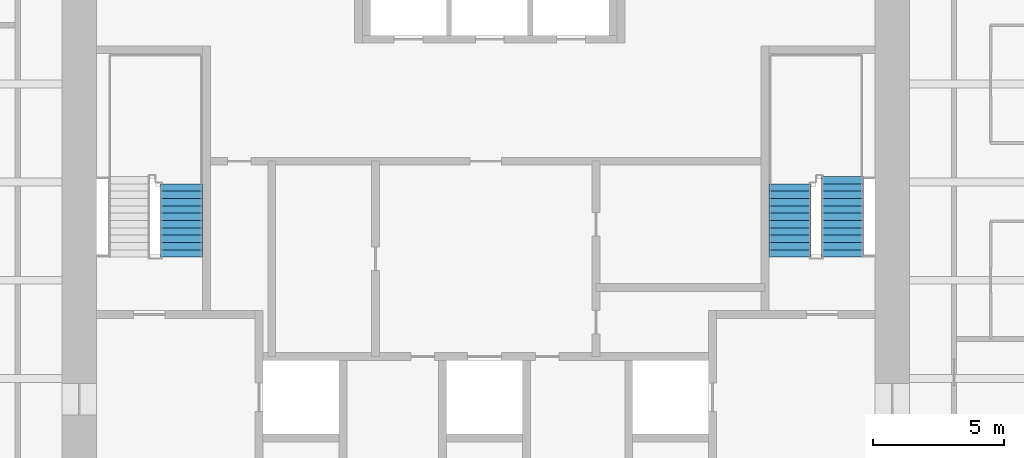
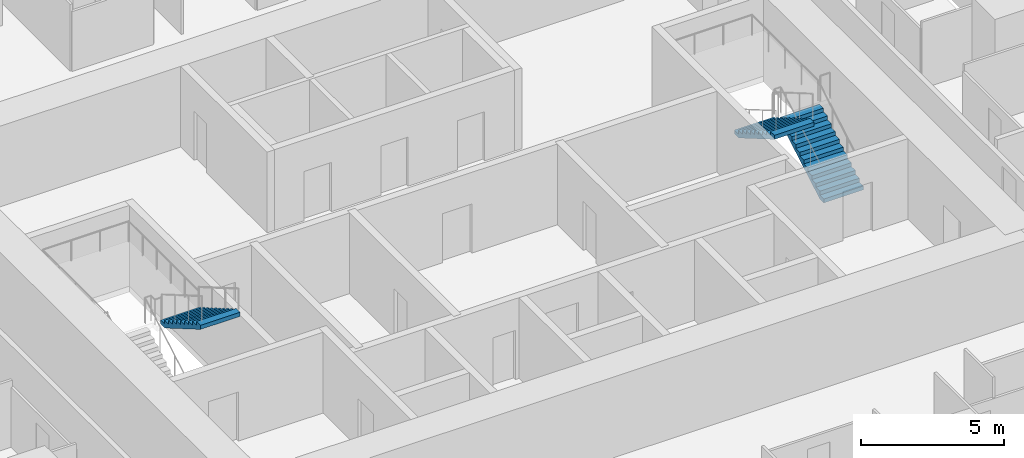
# One storey, part 12 of 13: 3 stair flights, 2 elements without a shape of their own.
"""IFC4 building model written with IfcOpenShell, lengths in metres."""

from ifc_helpers import new_model, si_unit, direction, frame, origin, place, context, subcontext, project, spatial, polyline, outline, extrude, material, type_object, element, aggregate, save


model = new_model("IFC4")

# Units and contexts
model_context = context("Model", 3, precision=1e-05, world=origin(), true_north=direction((0.0, 1.0)))
body_context = subcontext(model_context, "Body", "Model", "MODEL_VIEW")
ifc_project = project(units=[si_unit("LENGTHUNIT", "METRE"), si_unit("AREAUNIT", "SQUARE_METRE"), si_unit("VOLUMEUNIT", "CUBIC_METRE"), si_unit("PLANEANGLEUNIT", "RADIAN"), si_unit("MASSUNIT", "GRAM", prefix="KILO")], contexts=[model_context])

# Site, building, storey
site_placement = place(None, origin())
site = spatial("IfcSite", under=ifc_project, at=site_placement, CompositionType="ELEMENT")
building_placement = place(site_placement, origin())
building = spatial("IfcBuilding", under=site, at=building_placement, Name="Khuree Lantern Residences", CompositionType="ELEMENT")
storey_placement = place(building_placement, frame((0.0, 0.0, 349.5)))
storey = spatial("IfcBuildingStorey", under=building, at=storey_placement, Name="L88", CompositionType="ELEMENT", Elevation=349.5)

# Stair, stair flight
ifc_material = material(Name="Concrete C40/50", Category="concrete")
stair_type = type_object("IfcStairType", Name="STAIR ST1 HALF TURN 3600", PredefinedType="HALF_TURN_STAIR", material=ifc_material)
stair_1_placement = place(storey_placement, origin())
stair_1 = element("IfcStair", 1, at=stair_1_placement, inside=storey, type_object=stair_type, Name="Stair ST1", PredefinedType="HALF_TURN_STAIR")
stair_flight_type = type_object("IfcStairFlightType", Name="STAIR FLIGHT SF1 1600", PredefinedType="STRAIGHT", material=ifc_material)
stair_flight_1_placement = place(storey_placement, frame((-11.60009765625, -0.06005859375, 1.95654296875), z_axis=(0.0, 0.0, 1.0), x_axis=(0.0, -1.0, 0.0)))
stair_flight_1 = element("IfcStairFlight", 2, at=stair_flight_1_placement, type_object=stair_flight_type, Name="ST1 flight 2", NumberOfRisers=11, NumberOfTreads=10, PredefinedType="STRAIGHT", RiserHeight=0.163043478, TreadLength=0.28, context=body_context, shape_type="SweptSolid", body=[
    extrude(outline(polyline([(0.0, 0.0), (0.0, 0.1630859375), (0.280029296875, 0.1630859375), (0.280029296875, 0.326171875), (0.56005859375, 0.326171875), (0.56005859375, 0.489013671875), (0.840087890625, 0.489013671875), (0.840087890625, 0.652099609375), (1.1201171875, 0.652099609375), (1.1201171875, 0.815185546875), (1.39990234375, 0.815185546875), (1.39990234375, 0.978271484375), (1.679931640625, 0.978271484375), (1.679931640625, 1.141357421875), (1.9599609375, 1.141357421875), (1.9599609375, 1.304443359375), (2.239990234375, 1.304443359375), (2.239990234375, 1.46728515625), (2.52001953125, 1.46728515625), (2.52001953125, 1.63037109375), (2.800048828125, 1.63037109375), (2.800048828125, 1.79345703125), (2.800048828125, 1.45703125), (0.2978515625, 0.0), (0.0, 0.0)])), frame((0.0, 0.800048828125, 0.0), z_axis=(0.0, -1.0, 0.0), x_axis=(1.0, 0.0, 0.0)), (0.0, 0.0, 1.0), 1.60009765625),
])
aggregate(stair_1, [stair_flight_1])

# Stair, stair flights
stair_2_placement = place(storey_placement, origin())
stair_2 = element("IfcStair", 3, at=stair_2_placement, inside=storey, type_object=stair_type, Name="Stair ST2", PredefinedType="HALF_TURN_STAIR")
stair_flight_2_placement = place(storey_placement, frame((13.60009765625, -2.860107421875, 0.0), z_axis=(0.0, 0.0, 1.0), x_axis=(0.0, 1.0, 0.0)))
stair_flight_2 = element("IfcStairFlight", 4, at=stair_flight_2_placement, type_object=stair_flight_type, Name="ST2 flight 1", NumberOfRisers=12, NumberOfTreads=11, PredefinedType="STRAIGHT", RiserHeight=0.163043478, TreadLength=0.28, context=body_context, shape_type="SweptSolid", body=[
    extrude(outline(polyline([(0.0, 0.0), (0.0, 0.1630859375), (0.280029296875, 0.1630859375), (0.280029296875, 0.326171875), (0.56005859375, 0.326171875), (0.56005859375, 0.489013671875), (0.840087890625, 0.489013671875), (0.840087890625, 0.652099609375), (1.1201171875, 0.652099609375), (1.1201171875, 0.815185546875), (1.39990234375, 0.815185546875), (1.39990234375, 0.978271484375), (1.679931640625, 0.978271484375), (1.679931640625, 1.141357421875), (1.9599609375, 1.141357421875), (1.9599609375, 1.304443359375), (2.239990234375, 1.304443359375), (2.239990234375, 1.46728515625), (2.52001953125, 1.46728515625), (2.52001953125, 1.63037109375), (2.800048828125, 1.63037109375), (2.800048828125, 1.79345703125), (3.080078125, 1.79345703125), (3.080078125, 1.95654296875), (3.080078125, 1.6201171875), (0.2978515625, 0.0), (0.0, 0.0)])), frame((0.0, 0.800048828125, 0.0), z_axis=(0.0, -1.0, 0.0), x_axis=(1.0, 0.0, 0.0)), (0.0, 0.0, 1.0), 1.60009765625),
])
stair_flight_3_placement = place(storey_placement, frame((11.60009765625, -0.06005859375, 1.95654296875), z_axis=(0.0, 0.0, 1.0), x_axis=(0.0, -1.0, 0.0)))
stair_flight_3 = element("IfcStairFlight", 5, at=stair_flight_3_placement, type_object=stair_flight_type, Name="ST2 flight 2", NumberOfRisers=11, NumberOfTreads=10, PredefinedType="STRAIGHT", RiserHeight=0.163043478, TreadLength=0.28, context=body_context, shape_type="SweptSolid", body=[
    extrude(outline(polyline([(0.0, 0.0), (0.0, 0.1630859375), (0.280029296875, 0.1630859375), (0.280029296875, 0.326171875), (0.56005859375, 0.326171875), (0.56005859375, 0.489013671875), (0.840087890625, 0.489013671875), (0.840087890625, 0.652099609375), (1.1201171875, 0.652099609375), (1.1201171875, 0.815185546875), (1.39990234375, 0.815185546875), (1.39990234375, 0.978271484375), (1.679931640625, 0.978271484375), (1.679931640625, 1.141357421875), (1.9599609375, 1.141357421875), (1.9599609375, 1.304443359375), (2.239990234375, 1.304443359375), (2.239990234375, 1.46728515625), (2.52001953125, 1.46728515625), (2.52001953125, 1.63037109375), (2.800048828125, 1.63037109375), (2.800048828125, 1.79345703125), (2.800048828125, 1.45703125), (0.2978515625, 0.0), (0.0, 0.0)])), frame((0.0, 0.800048828125, 0.0), z_axis=(0.0, -1.0, 0.0), x_axis=(1.0, 0.0, 0.0)), (0.0, 0.0, 1.0), 1.60009765625),
])
aggregate(stair_2, [stair_flight_2, stair_flight_3])

save(model, "model.ifc")
